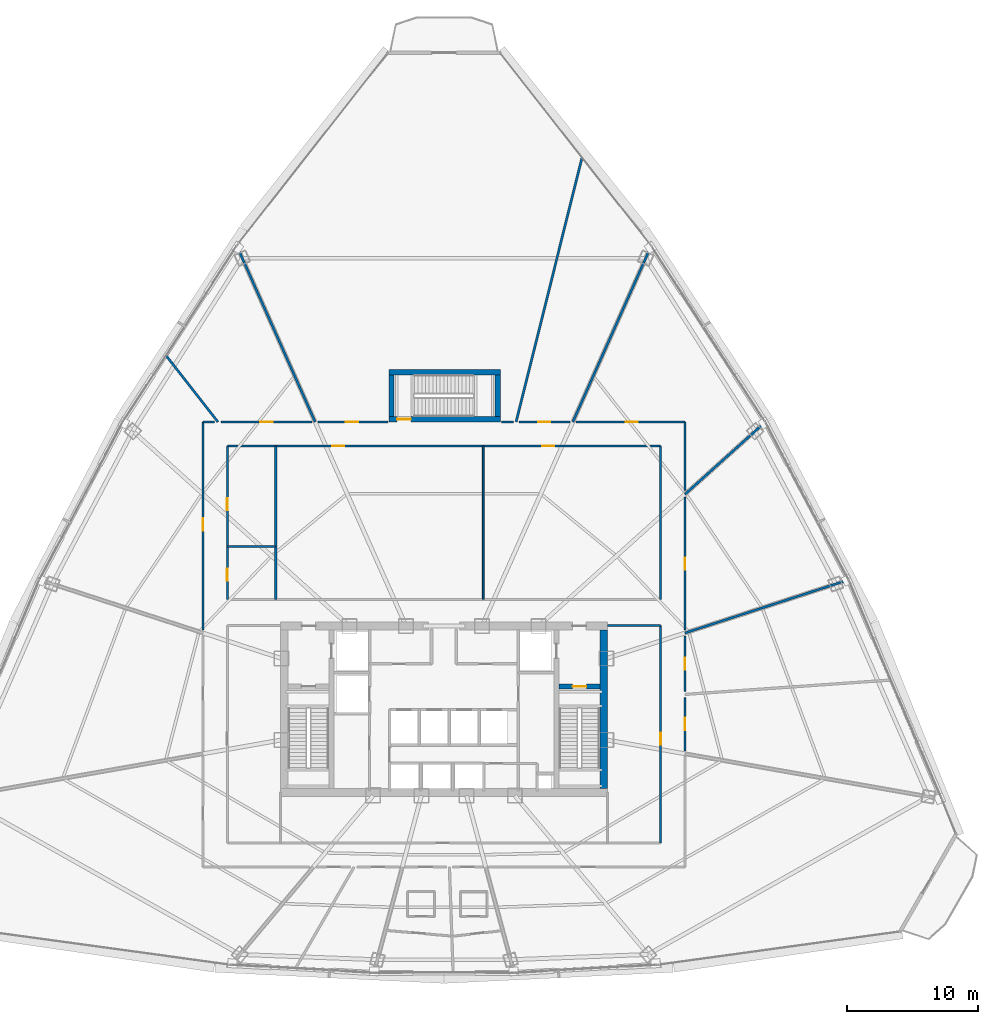
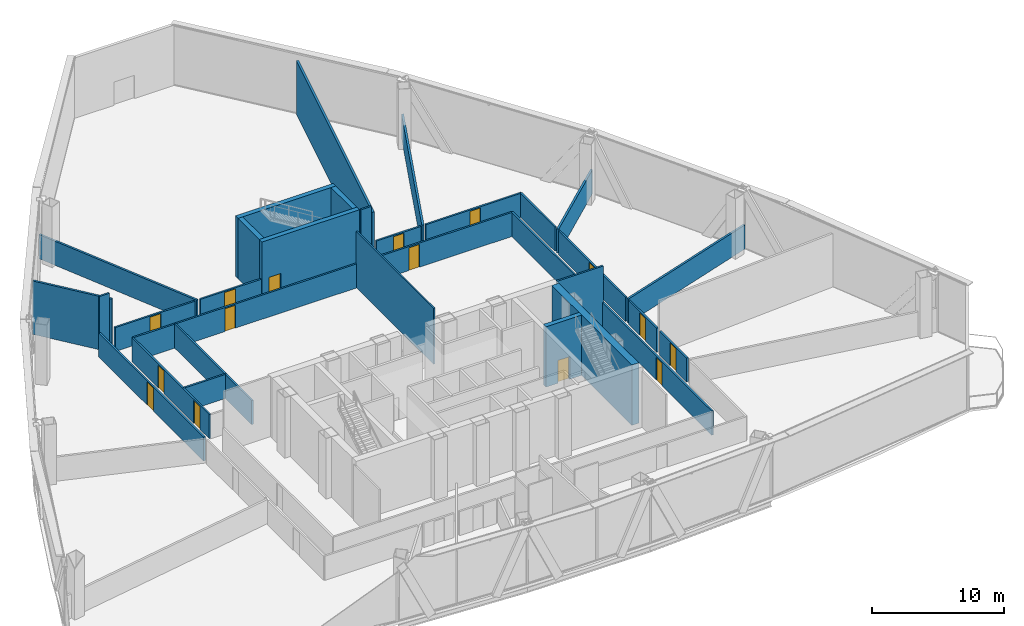
# One storey, part 35 of 40: 31 walls, 15 doors, 15 openings.
"""IFC4 building model written with IfcOpenShell, lengths in metres."""

from ifc_helpers import new_model, si_unit, direction, frame, frame_2d, origin, origin_with_axes, place, context, subcontext, project, spatial, rectangle, extrude, source, transform, mapped, material, layer, layer_set, type_object, element, fill, save


model = new_model("IFC4")

# Units and contexts
model_context = context("Model", 3, precision=1e-05, world=origin(), true_north=direction((0.0, 1.0)))
body_context = subcontext(model_context, "Body", "Model", "MODEL_VIEW")
ifc_project = project(units=[si_unit("LENGTHUNIT", "METRE"), si_unit("AREAUNIT", "SQUARE_METRE"), si_unit("VOLUMEUNIT", "CUBIC_METRE"), si_unit("PLANEANGLEUNIT", "RADIAN"), si_unit("MASSUNIT", "GRAM", prefix="KILO"), si_unit("THERMODYNAMICTEMPERATUREUNIT", "KELVIN"), si_unit("POWERUNIT", "WATT")], contexts=[model_context])

# Site, building, storey
site_placement = place(None, origin())
site = spatial("IfcSite", under=ifc_project, at=site_placement, CompositionType="ELEMENT")
building_placement = place(site_placement, origin())
building = spatial("IfcBuilding", under=site, at=building_placement, Name="Yunzhuo Pagoda Commons", CompositionType="ELEMENT")
storey_placement = place(building_placement, frame((0.0, 0.0, 170.31005859375)))
storey = spatial("IfcBuildingStorey", under=building, at=storey_placement, Name="L43", CompositionType="ELEMENT", Elevation=170.31005859375)

# Wall
ifc_material_1 = material(Name="Concrete C60", Category="concrete")
ifc_layer_1 = layer(ifc_material_1, 0.60009765625)
ifc_layer_set_1 = layer_set([ifc_layer_1], Name="Concrete C60")
wall_type_1 = type_object("IfcWallType", Name="W-C02 Mid Core Shear Wall 600", PredefinedType="SHEAR", material=ifc_layer_set_1)
wall_1_placement = place(storey_placement, frame((60.199951171875, 27.800048828125, 0.0), z_axis=(0.0, 0.0, 1.0), x_axis=(0.0, 1.0, 0.0)))
element("IfcWall", 1, at=wall_1_placement, inside=storey, type_object=wall_type_1, Name="L43 core shear wall E", PredefinedType="SHEAR", context=body_context, shape_type="SweptSolid", body=[
    extrude(rectangle(XDim=12.099853515625, YDim=0.60009765625, at=frame_2d((6.0498046875, 0.0))), origin(), (0.0, 0.0, 1.0), 5.56982421875),
])

# Wall, openings, doors
ifc_material_2 = material(Name="Gypsum plasterboard on acoustic stud")
ifc_layer_2 = layer(ifc_material_2, 0.155029296875)
ifc_layer_set_2 = layer_set([ifc_layer_2], Name="Gypsum plasterboard on acoustic stud")
wall_type_2 = type_object("IfcWallType", Name="W-COR2 Mid-Zone Rated Corridor Wall 155", PredefinedType="PARTITIONING", material=ifc_layer_set_2)
wall_2_placement = place(storey_placement, frame((31.449951171875, 53.949951171875, 0.0), z_axis=(0.0, 0.0, 1.0), x_axis=(1.0, 0.0, 0.0)))
wall_2 = element("IfcWall", 2, at=wall_2_placement, inside=storey, type_object=wall_type_2, Name="L43 interior wall IW-L43-MCNN", PredefinedType="PARTITIONING", context=body_context, shape_type="SweptSolid", body=[
    extrude(rectangle(XDim=33.10009765625, YDim=0.155029296875, at=frame_2d((16.550048828125, 0.0))), origin(), (0.0, 0.0, 1.0), 2.219970703125),
])
opening_1_placement = place(wall_2_placement, frame((8.0, 0.0, 0.0)))
opening_1 = element("IfcOpeningElement", 3, at=opening_1_placement, cuts=wall_2, Name="Opening D-04", PredefinedType="OPENING", context=body_context, shape_type="SweptSolid", body=[
    extrude(rectangle(XDim=0.919921875, YDim=2.10009765625, at=frame_2d((0.4599609375, 1.050048828125))), frame((0.0, 0.08740234375, 0.0), z_axis=(0.0, -1.0, 0.0), x_axis=(1.0, 0.0, 0.0)), (0.0, 0.0, 1.0), 0.175048828125),
])
opening_2_placement = place(wall_2_placement, frame((24.050048828125, 0.0, 0.0)))
opening_2 = element("IfcOpeningElement", 4, at=opening_2_placement, cuts=wall_2, Name="Opening D-04", PredefinedType="OPENING", context=body_context, shape_type="SweptSolid", body=[
    extrude(rectangle(XDim=0.919921875, YDim=2.10009765625, at=frame_2d((0.4599609375, 1.050048828125))), frame((0.0, 0.08740234375, 0.0), z_axis=(0.0, -1.0, 0.0), x_axis=(1.0, 0.0, 0.0)), (0.0, 0.0, 1.0), 0.175048828125),
])
ifc_material_3 = material(Name="Powder-coated aluminium and timber acoustic leaf", Category="wood")
door_type_1 = type_object("IfcDoorType", Name="D-04 Bedroom & Study Interior Door 920x2100", OperationType="NOTDEFINED", PredefinedType="DOOR", material=ifc_material_3)
shared_shape_1 = source(origin(), body_context, "Body", "SweptSolid", [
    extrude(rectangle(XDim=0.919921875, YDim=2.10009765625, at=frame_2d((0.4599609375, 1.050048828125))), frame((0.0, 0.02490234375, 0.0), z_axis=(0.0, -1.0, 0.0), x_axis=(1.0, 0.0, 0.0)), (0.0, 0.0, 1.0), 0.050048828125),
])
door_1_placement = place(opening_1_placement, origin_with_axes())
door_1 = element("IfcDoor", 5, at=door_1_placement, inside=storey, type_object=door_type_1, Name="L43 reading commons door", OperationType="SINGLE_SWING_LEFT", OverallHeight=2.10009765625, OverallWidth=0.919921875, PredefinedType="DOOR", context=body_context, shape_type="MappedRepresentation", body=[
    mapped(shared_shape_1, transform((0.0, 0.0, 0.0), scale=1.0)),
])
fill(opening_1, door_1)
door_2_placement = place(opening_2_placement, origin_with_axes())
door_2 = element("IfcDoor", 6, at=door_2_placement, inside=storey, type_object=door_type_1, Name="L43 seminar commons door", OperationType="SINGLE_SWING_RIGHT", OverallHeight=2.10009765625, OverallWidth=0.919921875, PredefinedType="DOOR", context=body_context, shape_type="MappedRepresentation", body=[
    mapped(shared_shape_1, transform((0.0, 0.0, 0.0), scale=1.0)),
])
fill(opening_2, door_2)

wall_3_placement = place(storey_placement, frame((31.449951171875, 42.25, 0.0), z_axis=(0.0, 0.0, 1.0), x_axis=(0.0, 1.0, 0.0)))
wall_3 = element("IfcWall", 7, at=wall_3_placement, inside=storey, type_object=wall_type_2, Name="L43 interior wall IW-L43-MCNW", PredefinedType="PARTITIONING", context=body_context, shape_type="SweptSolid", body=[
    extrude(rectangle(XDim=11.699951171875, YDim=0.155029296875, at=frame_2d((5.85009765625, 0.0))), origin(), (0.0, 0.0, 1.0), 2.219970703125),
])
opening_3_placement = place(wall_3_placement, frame((1.39990234375, 0.0, 0.0)))
opening_3 = element("IfcOpeningElement", 8, at=opening_3_placement, cuts=wall_3, Name="Opening D-11", PredefinedType="OPENING", context=body_context, shape_type="SweptSolid", body=[
    extrude(rectangle(XDim=0.93994140625, YDim=2.10009765625, at=frame_2d((0.469970703125, 1.050048828125))), frame((0.0, 0.08740234375, 0.0), z_axis=(0.0, -1.0, 0.0), x_axis=(1.0, 0.0, 0.0)), (0.0, 0.0, 1.0), 0.175048828125),
])
opening_4_placement = place(wall_3_placement, frame((6.800048828125, 0.0, 0.0)))
opening_4 = element("IfcOpeningElement", 9, at=opening_4_placement, cuts=wall_3, Name="Opening D-04", PredefinedType="OPENING", context=body_context, shape_type="SweptSolid", body=[
    extrude(rectangle(XDim=0.919921875, YDim=2.10009765625, at=frame_2d((0.4599609375, 1.050048828125))), frame((0.0, 0.08740234375, 0.0), z_axis=(0.0, -1.0, 0.0), x_axis=(1.0, 0.0, 0.0)), (0.0, 0.0, 1.0), 0.175048828125),
])
ifc_material_4 = material(Name="Galvanized fire-resisting metal leaf")
door_type_2 = type_object("IfcDoorType", Name="D-11 Accessible Washroom Fire Door 940x2100", OperationType="NOTDEFINED", PredefinedType="DOOR", material=ifc_material_4)
shared_shape_2 = source(origin(), body_context, "Body", "SweptSolid", [
    extrude(rectangle(XDim=0.93994140625, YDim=2.10009765625, at=frame_2d((0.469970703125, 1.050048828125))), frame((0.0, 0.02490234375, 0.0), z_axis=(0.0, -1.0, 0.0), x_axis=(1.0, 0.0, 0.0)), (0.0, 0.0, 1.0), 0.050048828125),
])
door_3_placement = place(opening_3_placement, origin_with_axes())
door_3 = element("IfcDoor", 10, at=door_3_placement, inside=storey, type_object=door_type_2, Name="L43 accessible WC door", OperationType="SINGLE_SWING_LEFT", OverallHeight=2.10009765625, OverallWidth=0.93994140625, PredefinedType="DOOR", context=body_context, shape_type="MappedRepresentation", body=[
    mapped(shared_shape_2, transform((0.0, 0.0, 0.0), scale=1.0)),
])
fill(opening_3, door_3)
door_4_placement = place(opening_4_placement, origin_with_axes())
door_4 = element("IfcDoor", 11, at=door_4_placement, inside=storey, type_object=door_type_1, Name="L43 laundry door", OperationType="SINGLE_SWING_RIGHT", OverallHeight=2.10009765625, OverallWidth=0.919921875, PredefinedType="DOOR", context=body_context, shape_type="MappedRepresentation", body=[
    mapped(shared_shape_1, transform((0.0, 0.0, 0.0), scale=1.0)),
])
fill(opening_4, door_4)

# Walls
for number, where, z_axis, x_axis, name in (
    (12, (64.550048828125, 42.25, 0.0), (0.0, 0.0, 1.0), (0.0, 1.0, 0.0), "L43 interior wall IW-L43-MCNE"),
    (13, (35.14990234375, 42.25, 0.0), (0.0, 0.0, 1.0), (0.0, 1.0, 0.0), "L43 interior wall IW-L43-MCWCE"),
):
    element("IfcWall", number, at=place(storey_placement, frame(where, z_axis=z_axis, x_axis=x_axis)), inside=storey, type_object=wall_type_2, Name=name, PredefinedType="PARTITIONING", context=body_context, shape_type="SweptSolid", body=[
        extrude(rectangle(XDim=11.699951171875, YDim=0.155029296875, at=frame_2d((5.85009765625, 0.0))), origin(), (0.0, 0.0, 1.0), 2.219970703125),
    ])
wall_4_placement = place(storey_placement, frame((31.449951171875, 46.300048828125, 0.0), z_axis=(0.0, 0.0, 1.0), x_axis=(1.0, 0.0, 0.0)))
element("IfcWall", 14, at=wall_4_placement, inside=storey, type_object=wall_type_2, Name="L43 interior wall IW-L43-MCWCN", PredefinedType="PARTITIONING", context=body_context, shape_type="SweptSolid", body=[
    extrude(rectangle(XDim=3.699951171875, YDim=0.155029296875, at=frame_2d((1.85009765625, 0.0))), origin(), (0.0, 0.0, 1.0), 2.219970703125),
])

# Wall, opening, door
wall_5_placement = place(storey_placement, frame((64.550048828125, 23.64990234375, 0.0), z_axis=(0.0, 0.0, 1.0), x_axis=(0.0, 1.0, 0.0)))
wall_5 = element("IfcWall", 15, at=wall_5_placement, inside=storey, type_object=wall_type_2, Name="L43 interior wall IW-L43-SFLE", PredefinedType="PARTITIONING", context=body_context, shape_type="SweptSolid", body=[
    extrude(rectangle(XDim=16.60009765625, YDim=0.155029296875, at=frame_2d((8.300048828125, 0.0))), origin(), (0.0, 0.0, 1.0), 2.219970703125),
])
opening_5_placement = place(wall_5_placement, frame((7.5, 0.0, 0.0)))
opening_5 = element("IfcOpeningElement", 16, at=opening_5_placement, cuts=wall_5, Name="Opening D-12", PredefinedType="OPENING", context=body_context, shape_type="SweptSolid", body=[
    extrude(rectangle(XDim=0.89990234375, YDim=2.080078125, at=frame_2d((0.449951171875, 1.0400390625))), frame((0.0, 0.08740234375, 0.0), z_axis=(0.0, -1.0, 0.0), x_axis=(1.0, 0.0, 0.0)), (0.0, 0.0, 1.0), 0.175048828125),
])
door_type_3 = type_object("IfcDoorType", Name="D-12 Quiet Study Interior Door 900x2080", OperationType="NOTDEFINED", PredefinedType="DOOR", material=ifc_material_3)
shared_shape_3 = source(origin(), body_context, "Body", "SweptSolid", [
    extrude(rectangle(XDim=0.89990234375, YDim=2.080078125, at=frame_2d((0.449951171875, 1.0400390625))), frame((0.0, 0.02490234375, 0.0), z_axis=(0.0, -1.0, 0.0), x_axis=(1.0, 0.0, 0.0)), (0.0, 0.0, 1.0), 0.050048828125),
])
door_5_placement = place(opening_5_placement, frame((0.89990234375, 0.0, 0.0), z_axis=(0.0, 0.0, 1.0), x_axis=(-1.0, 0.0, 0.0)))
door_5 = element("IfcDoor", 17, at=door_5_placement, inside=storey, type_object=door_type_3, Name="L43 east study workroom door", OperationType="SINGLE_SWING_RIGHT", OverallHeight=2.080078125, OverallWidth=0.89990234375, PredefinedType="DOOR", context=body_context, shape_type="MappedRepresentation", body=[
    mapped(shared_shape_3, transform((0.0, 0.0, 0.0), scale=1.0)),
])
fill(opening_5, door_5)

# Wall
wall_6_placement = place(storey_placement, frame((60.5, 40.25, 0.0), z_axis=(0.0, 0.0, 1.0), x_axis=(1.0, 0.0, 0.0)))
element("IfcWall", 18, at=wall_6_placement, inside=storey, type_object=wall_type_2, Name="L43 interior wall IW-L43-SFLNE", PredefinedType="PARTITIONING", context=body_context, shape_type="SweptSolid", body=[
    extrude(rectangle(XDim=4.050048828125, YDim=0.155029296875, at=frame_2d((2.02490234375, 0.0))), origin(), (0.0, 0.0, 1.0), 5.56982421875),
])

# Wall, opening, door
wall_7_placement = place(storey_placement, frame((29.60009765625, 39.909912109375, 0.0), z_axis=(0.0, 0.0, 1.0), x_axis=(0.0, 1.0, 0.0)))
wall_7 = element("IfcWall", 19, at=wall_7_placement, inside=storey, type_object=wall_type_2, Name="L43 interior wall IW-L43-CWL03", PredefinedType="PARTITIONING", context=body_context, shape_type="SweptSolid", body=[
    extrude(rectangle(XDim=15.89013671875, YDim=0.155029296875, at=frame_2d((7.945068359375, 0.0))), origin(), (0.0, 0.0, 1.0), 2.219970703125),
])
opening_6_placement = place(wall_7_placement, frame((7.58447265625, 0.0, 0.0)))
opening_6 = element("IfcOpeningElement", 20, at=opening_6_placement, cuts=wall_7, Name="Opening D-07", PredefinedType="OPENING", context=body_context, shape_type="SweptSolid", body=[
    extrude(rectangle(XDim=0.9599609375, YDim=2.1201171875, at=frame_2d((0.47998046875, 1.06005859375))), frame((0.0, 0.08740234375, 0.0), z_axis=(0.0, -1.0, 0.0), x_axis=(1.0, 0.0, 0.0)), (0.0, 0.0, 1.0), 0.175048828125),
])
door_type_4 = type_object("IfcDoorType", Name="D-07 Mid-Zone Suite Entrance Fire Door 960x2120", OperationType="NOTDEFINED", PredefinedType="DOOR", material=ifc_material_4)
shared_shape_4 = source(origin(), body_context, "Body", "SweptSolid", [
    extrude(rectangle(XDim=0.9599609375, YDim=2.1201171875, at=frame_2d((0.47998046875, 1.06005859375))), frame((0.0, 0.02490234375, 0.0), z_axis=(0.0, -1.0, 0.0), x_axis=(1.0, 0.0, 0.0)), (0.0, 0.0, 1.0), 0.050048828125),
])
door_6_placement = place(opening_6_placement, origin_with_axes())
door_6 = element("IfcDoor", 21, at=door_6_placement, inside=storey, type_object=door_type_4, Name="L43 Shared Resident Kitchen and Pantry door", OperationType="SINGLE_SWING_RIGHT", OverallHeight=2.1201171875, OverallWidth=0.9599609375, PredefinedType="DOOR", context=body_context, shape_type="MappedRepresentation", body=[
    mapped(shared_shape_4, transform((0.0, 0.0, 0.0), scale=1.0)),
])
fill(opening_6, door_6)

# Wall
wall_8_placement = place(storey_placement, frame((29.60009765625, 55.800048828125, 0.0), z_axis=(0.0, 0.0, 1.0), x_axis=(1.0, 0.0, 0.0)))
element("IfcWall", 22, at=wall_8_placement, inside=storey, type_object=wall_type_2, Name="L43 interior wall IW-L43-CWL04", PredefinedType="PARTITIONING", context=body_context, shape_type="SweptSolid", body=[
    extrude(rectangle(XDim=0.854248046875, YDim=0.155029296875, at=frame_2d((0.42724609375, 0.0))), origin(), (0.0, 0.0, 1.0), 5.56982421875),
])

# Wall, opening, door
wall_9_placement = place(storey_placement, frame((30.953369140625, 55.800048828125, 0.0), z_axis=(0.0, 0.0, 1.0), x_axis=(1.0, 0.0, 0.0)))
wall_9 = element("IfcWall", 23, at=wall_9_placement, inside=storey, type_object=wall_type_2, Name="L43 interior wall IW-L43-CWL05", PredefinedType="PARTITIONING", context=body_context, shape_type="SweptSolid", body=[
    extrude(rectangle(XDim=6.96630859375, YDim=0.155029296875, at=frame_2d((3.483154296875, 0.0))), origin(), (0.0, 0.0, 1.0), 2.219970703125),
])
opening_7_placement = place(wall_9_placement, frame((3.0185546875, 0.0, 0.0)))
opening_7 = element("IfcOpeningElement", 24, at=opening_7_placement, cuts=wall_9, Name="Opening D-07", PredefinedType="OPENING", context=body_context, shape_type="SweptSolid", body=[
    extrude(rectangle(XDim=0.9599609375, YDim=2.1201171875, at=frame_2d((0.47998046875, 1.06005859375))), frame((0.0, 0.08740234375, 0.0), z_axis=(0.0, -1.0, 0.0), x_axis=(1.0, 0.0, 0.0)), (0.0, 0.0, 1.0), 0.175048828125),
])
door_7_placement = place(opening_7_placement, origin_with_axes())
door_7 = element("IfcDoor", 25, at=door_7_placement, inside=storey, type_object=door_type_4, Name="L43 unit 06 entrance door", OperationType="SINGLE_SWING_LEFT", OverallHeight=2.1201171875, OverallWidth=0.9599609375, PredefinedType="DOOR", context=body_context, shape_type="MappedRepresentation", body=[
    mapped(shared_shape_4, transform((0.0, 0.0, 0.0), scale=1.0)),
])
fill(opening_7, door_7)

wall_10_placement = place(storey_placement, frame((38.380126953125, 55.800048828125, 0.0), z_axis=(0.0, 0.0, 1.0), x_axis=(1.0, 0.0, 0.0)))
wall_10 = element("IfcWall", 26, at=wall_10_placement, inside=storey, type_object=wall_type_2, Name="L43 interior wall IW-L43-CWL06", PredefinedType="PARTITIONING", context=body_context, shape_type="SweptSolid", body=[
    extrude(rectangle(XDim=5.328857421875, YDim=0.155029296875, at=frame_2d((2.66455078125, 0.0))), origin(), (0.0, 0.0, 1.0), 2.219970703125),
])
opening_8_placement = place(wall_10_placement, frame((2.114990234375, 0.0, 0.0)))
opening_8 = element("IfcOpeningElement", 27, at=opening_8_placement, cuts=wall_10, Name="Opening D-07", PredefinedType="OPENING", context=body_context, shape_type="SweptSolid", body=[
    extrude(rectangle(XDim=0.9599609375, YDim=2.1201171875, at=frame_2d((0.47998046875, 1.06005859375))), frame((0.0, 0.08740234375, 0.0), z_axis=(0.0, -1.0, 0.0), x_axis=(1.0, 0.0, 0.0)), (0.0, 0.0, 1.0), 0.175048828125),
])
door_8_placement = place(opening_8_placement, origin_with_axes())
door_8 = element("IfcDoor", 28, at=door_8_placement, inside=storey, type_object=door_type_4, Name="L43 unit 05 entrance door", OperationType="SINGLE_SWING_RIGHT", OverallHeight=2.1201171875, OverallWidth=0.9599609375, PredefinedType="DOOR", context=body_context, shape_type="MappedRepresentation", body=[
    mapped(shared_shape_4, transform((0.0, 0.0, 0.0), scale=1.0)),
])
fill(opening_8, door_8)

# Wall
wall_11_placement = place(storey_placement, frame((52.39111328125, 55.800048828125, 0.0), z_axis=(0.0, 0.0, 1.0), x_axis=(1.0, 0.0, 0.0)))
element("IfcWall", 29, at=wall_11_placement, inside=storey, type_object=wall_type_2, Name="L43 interior wall IW-L43-CWL07", PredefinedType="PARTITIONING", context=body_context, shape_type="SweptSolid", body=[
    extrude(rectangle(XDim=0.899169921875, YDim=0.155029296875, at=frame_2d((0.44970703125, 0.0))), origin(), (0.0, 0.0, 1.0), 5.56982421875),
])

# Wall, opening, door
wall_12_placement = place(storey_placement, frame((53.73681640625, 55.800048828125, 0.0), z_axis=(0.0, 0.0, 1.0), x_axis=(1.0, 0.0, 0.0)))
wall_12 = element("IfcWall", 30, at=wall_12_placement, inside=storey, type_object=wall_type_2, Name="L43 interior wall IW-L43-CWL08", PredefinedType="PARTITIONING", context=body_context, shape_type="SweptSolid", body=[
    extrude(rectangle(XDim=3.883056640625, YDim=0.155029296875, at=frame_2d((1.94140625, 0.0))), origin(), (0.0, 0.0, 1.0), 2.219970703125),
])
opening_9_placement = place(wall_12_placement, frame((1.47802734375, 0.0, 0.0)))
opening_9 = element("IfcOpeningElement", 31, at=opening_9_placement, cuts=wall_12, Name="Opening D-04", PredefinedType="OPENING", context=body_context, shape_type="SweptSolid", body=[
    extrude(rectangle(XDim=0.919921875, YDim=2.10009765625, at=frame_2d((0.4599609375, 1.050048828125))), frame((0.0, 0.08740234375, 0.0), z_axis=(0.0, -1.0, 0.0), x_axis=(1.0, 0.0, 0.0)), (0.0, 0.0, 1.0), 0.175048828125),
])
door_9_placement = place(opening_9_placement, origin_with_axes())
door_9 = element("IfcDoor", 32, at=door_9_placement, inside=storey, type_object=door_type_1, Name="L43 seminar room 04 door", OperationType="SINGLE_SWING_LEFT", OverallHeight=2.10009765625, OverallWidth=0.919921875, PredefinedType="DOOR", context=body_context, shape_type="MappedRepresentation", body=[
    mapped(shared_shape_1, transform((0.0, 0.0, 0.0), scale=1.0)),
])
fill(opening_9, door_9)

wall_13_placement = place(storey_placement, frame((58.080322265625, 55.800048828125, 0.0), z_axis=(0.0, 0.0, 1.0), x_axis=(1.0, 0.0, 0.0)))
wall_13 = element("IfcWall", 33, at=wall_13_placement, inside=storey, type_object=wall_type_2, Name="L43 interior wall IW-L43-CWL09", PredefinedType="PARTITIONING", context=body_context, shape_type="SweptSolid", body=[
    extrude(rectangle(XDim=8.319580078125, YDim=0.155029296875, at=frame_2d((4.15966796875, 0.0))), origin(), (0.0, 0.0, 1.0), 2.219970703125),
])
opening_10_placement = place(wall_13_placement, frame((3.809326171875, 0.0, 0.0)))
opening_10 = element("IfcOpeningElement", 34, at=opening_10_placement, cuts=wall_13, Name="Opening D-04", PredefinedType="OPENING", context=body_context, shape_type="SweptSolid", body=[
    extrude(rectangle(XDim=0.919921875, YDim=2.10009765625, at=frame_2d((0.4599609375, 1.050048828125))), frame((0.0, 0.08740234375, 0.0), z_axis=(0.0, -1.0, 0.0), x_axis=(1.0, 0.0, 0.0)), (0.0, 0.0, 1.0), 0.175048828125),
])
door_10_placement = place(opening_10_placement, origin_with_axes())
door_10 = element("IfcDoor", 35, at=door_10_placement, inside=storey, type_object=door_type_1, Name="L43 seminar room 03 door", OperationType="SINGLE_SWING_RIGHT", OverallHeight=2.10009765625, OverallWidth=0.919921875, PredefinedType="DOOR", context=body_context, shape_type="MappedRepresentation", body=[
    mapped(shared_shape_1, transform((0.0, 0.0, 0.0), scale=1.0)),
])
fill(opening_10, door_10)

# Wall
wall_14_placement = place(storey_placement, frame((66.39990234375, 55.800048828125, 0.0), z_axis=(0.0, 0.0, 1.0), x_axis=(0.0, -1.0, 0.0)))
element("IfcWall", 36, at=wall_14_placement, inside=storey, type_object=wall_type_2, Name="L43 interior wall IW-L43-CWL10", PredefinedType="PARTITIONING", context=body_context, shape_type="SweptSolid", body=[
    extrude(rectangle(XDim=5.236572265625, YDim=0.155029296875, at=frame_2d((2.6181640625, 0.0))), origin(), (0.0, 0.0, 1.0), 2.219970703125),
])

# Wall, opening, door
wall_15_placement = place(storey_placement, frame((66.39990234375, 50.047607421875, 0.0), z_axis=(0.0, 0.0, 1.0), x_axis=(0.0, -1.0, 0.0)))
wall_15 = element("IfcWall", 37, at=wall_15_placement, inside=storey, type_object=wall_type_2, Name="L43 interior wall IW-L43-CWL11", PredefinedType="PARTITIONING", context=body_context, shape_type="SweptSolid", body=[
    extrude(rectangle(XDim=10.1376953125, YDim=0.155029296875, at=frame_2d((5.06884765625, 0.0))), origin(), (0.0, 0.0, 1.0), 2.219970703125),
])
opening_11_placement = place(wall_15_placement, frame((4.61474609375, 0.0, 0.0)))
opening_11 = element("IfcOpeningElement", 38, at=opening_11_placement, cuts=wall_15, Name="Opening D-04", PredefinedType="OPENING", context=body_context, shape_type="SweptSolid", body=[
    extrude(rectangle(XDim=0.919921875, YDim=2.10009765625, at=frame_2d((0.4599609375, 1.050048828125))), frame((0.0, 0.08740234375, 0.0), z_axis=(0.0, -1.0, 0.0), x_axis=(1.0, 0.0, 0.0)), (0.0, 0.0, 1.0), 0.175048828125),
])
door_11_placement = place(opening_11_placement, origin_with_axes())
door_11 = element("IfcDoor", 39, at=door_11_placement, inside=storey, type_object=door_type_1, Name="L43 seminar room 02 door", OperationType="SINGLE_SWING_LEFT", OverallHeight=2.10009765625, OverallWidth=0.919921875, PredefinedType="DOOR", context=body_context, shape_type="MappedRepresentation", body=[
    mapped(shared_shape_1, transform((0.0, 0.0, 0.0), scale=1.0)),
])
fill(opening_11, door_11)

wall_16_placement = place(storey_placement, frame((66.39990234375, 39.458740234375, 0.0), z_axis=(0.0, 0.0, 1.0), x_axis=(0.0, -1.0, 0.0)))
wall_16 = element("IfcWall", 40, at=wall_16_placement, inside=storey, type_object=wall_type_2, Name="L43 interior wall IW-L43-CWL12", PredefinedType="PARTITIONING", context=body_context, shape_type="SweptSolid", body=[
    extrude(rectangle(XDim=4.25146484375, YDim=0.155029296875, at=frame_2d((2.125732421875, 0.0))), origin(), (0.0, 0.0, 1.0), 2.219970703125),
])
opening_12_placement = place(wall_16_placement, frame((1.666015625, 0.0, 0.0)))
opening_12 = element("IfcOpeningElement", 41, at=opening_12_placement, cuts=wall_16, Name="Opening D-04", PredefinedType="OPENING", context=body_context, shape_type="SweptSolid", body=[
    extrude(rectangle(XDim=0.919921875, YDim=2.10009765625, at=frame_2d((0.4599609375, 1.050048828125))), frame((0.0, 0.08740234375, 0.0), z_axis=(0.0, -1.0, 0.0), x_axis=(1.0, 0.0, 0.0)), (0.0, 0.0, 1.0), 0.175048828125),
])
door_12_placement = place(opening_12_placement, origin_with_axes())
door_12 = element("IfcDoor", 42, at=door_12_placement, inside=storey, type_object=door_type_1, Name="L43 seminar room 01 door", OperationType="SINGLE_SWING_RIGHT", OverallHeight=2.10009765625, OverallWidth=0.919921875, PredefinedType="DOOR", context=body_context, shape_type="MappedRepresentation", body=[
    mapped(shared_shape_1, transform((0.0, 0.0, 0.0), scale=1.0)),
])
fill(opening_12, door_12)

wall_17_placement = place(storey_placement, frame((66.39990234375, 34.766845703125, 0.0), z_axis=(0.0, 0.0, 1.0), x_axis=(0.0, -1.0, 0.0)))
wall_17 = element("IfcWall", 43, at=wall_17_placement, inside=storey, type_object=wall_type_2, Name="L43 interior wall IW-L43-CWL13", PredefinedType="PARTITIONING", context=body_context, shape_type="SweptSolid", body=[
    extrude(rectangle(XDim=4.091552734375, YDim=0.155029296875, at=frame_2d((2.0458984375, 0.0))), origin(), (0.0, 0.0, 1.0), 2.219970703125),
])
opening_13_placement = place(wall_17_placement, frame((1.57080078125, 0.0, 0.0)))
opening_13 = element("IfcOpeningElement", 44, at=opening_13_placement, cuts=wall_17, Name="Opening D-07", PredefinedType="OPENING", context=body_context, shape_type="SweptSolid", body=[
    extrude(rectangle(XDim=0.9599609375, YDim=2.1201171875, at=frame_2d((0.47998046875, 1.06005859375))), frame((0.0, 0.08740234375, 0.0), z_axis=(0.0, -1.0, 0.0), x_axis=(1.0, 0.0, 0.0)), (0.0, 0.0, 1.0), 0.175048828125),
])
door_13_placement = place(opening_13_placement, origin_with_axes())
door_13 = element("IfcDoor", 45, at=door_13_placement, inside=storey, type_object=door_type_4, Name="L43 unit 15 entrance door", OperationType="SINGLE_SWING_RIGHT", OverallHeight=2.1201171875, OverallWidth=0.9599609375, PredefinedType="DOOR", context=body_context, shape_type="MappedRepresentation", body=[
    mapped(shared_shape_4, transform((0.0, 0.0, 0.0), scale=1.0)),
])
fill(opening_13, door_13)

# Walls
ifc_layer_3 = layer(ifc_material_2, 0.1201171875)
ifc_layer_set_3 = layer_set([ifc_layer_3], Name="Gypsum plasterboard on acoustic stud")
wall_type_3 = type_object("IfcWallType", Name="W-PRT1 Suite & Bathroom Partition 120", PredefinedType="PARTITIONING", material=ifc_layer_set_3)
wall_18_placement = place(storey_placement, frame((51.0, 42.25, 0.0), z_axis=(0.0, 0.0, 1.0), x_axis=(0.0, 1.0, 0.0)))
element("IfcWall", 46, at=wall_18_placement, inside=storey, type_object=wall_type_3, Name="L43 interior wall IW-L43-MCDIV", PredefinedType="PARTITIONING", context=body_context, shape_type="SweptSolid", body=[
    extrude(rectangle(XDim=11.699951171875, YDim=0.1201171875, at=frame_2d((5.85009765625, 0.0))), origin(), (0.0, 0.0, 1.0), 5.169921875),
])
ifc_layer_4 = layer(ifc_material_2, 0.175048828125)
ifc_layer_set_4 = layer_set([ifc_layer_4], Name="Gypsum plasterboard on acoustic stud")
wall_type_4 = type_object("IfcWallType", Name="W-PRT3 Mid-Zone Demising Wall 175", PredefinedType="PARTITIONING", material=ifc_layer_set_4)
wall_19_placement = place(storey_placement, frame((66.39990234375, 39.678466796875, 0.0), z_axis=(0.0, 0.0, 1.0), x_axis=(0.951058745875, 0.309010132349, 0.0)))
element("IfcWall", 47, at=wall_19_placement, inside=storey, type_object=wall_type_4, Name="L43 interior wall IW-L43-RAD02", PredefinedType="PARTITIONING", context=body_context, shape_type="SweptSolid", body=[
    extrude(rectangle(XDim=13.157958984375, YDim=0.175048828125, at=frame_2d((6.5791015625, 0.0))), origin(), (0.0, 0.0, 1.0), 2.219970703125),
])
wall_20_placement = place(storey_placement, frame((66.39990234375, 50.267333984375, 0.0), z_axis=(0.0, 0.0, 1.0), x_axis=(0.743138546471, 0.669137579836, 0.0)))
element("IfcWall", 48, at=wall_20_placement, inside=storey, type_object=wall_type_4, Name="L43 interior wall IW-L43-RAD03", PredefinedType="PARTITIONING", context=body_context, shape_type="SweptSolid", body=[
    extrude(rectangle(XDim=8.27099609375, YDim=0.175048828125, at=frame_2d((4.135498046875, 0.0))), origin(), (0.0, 0.0, 1.0), 2.219970703125),
])
wall_21_placement = place(storey_placement, frame((57.839599609375, 55.800048828125, 0.0), z_axis=(0.0, 0.0, 1.0), x_axis=(0.406737891531, 0.913544901793, 0.0)))
element("IfcWall", 49, at=wall_21_placement, inside=storey, type_object=wall_type_4, Name="L43 interior wall IW-L43-RAD04", PredefinedType="PARTITIONING", context=body_context, shape_type="SweptSolid", body=[
    extrude(rectangle(XDim=14.73583984375, YDim=0.175048828125, at=frame_2d((7.367919921875, 0.0))), origin(), (0.0, 0.0, 1.0), 2.219970703125),
])
wall_22_placement = place(storey_placement, frame((53.510009765625, 55.800048828125, 0.0), z_axis=(0.0, 0.0, 1.0), x_axis=(0.241934095485, 0.970292684422, 0.0)))
element("IfcWall", 50, at=wall_22_placement, inside=storey, type_object=wall_type_4, Name="L43 interior wall IW-L43-RAD05", PredefinedType="PARTITIONING", context=body_context, shape_type="SweptSolid", body=[
    extrude(rectangle(XDim=20.820068359375, YDim=0.175048828125, at=frame_2d((10.41015625, 0.0))), origin(), (0.0, 0.0, 1.0), 4.919921875),
])
wall_23_placement = place(storey_placement, frame((38.160400390625, 55.800048828125, 0.0), z_axis=(0.0, 0.0, 1.0), x_axis=(-0.406737891531, 0.913544901793, 0.0)))
element("IfcWall", 51, at=wall_23_placement, inside=storey, type_object=wall_type_4, Name="L43 interior wall IW-L43-RAD06", PredefinedType="PARTITIONING", context=body_context, shape_type="SweptSolid", body=[
    extrude(rectangle(XDim=14.73583984375, YDim=0.175048828125, at=frame_2d((7.367919921875, 0.0))), origin(), (0.0, 0.0, 1.0), 2.219970703125),
])
wall_24_placement = place(storey_placement, frame((30.733642578125, 55.800048828125, 0.0), z_axis=(0.0, 0.0, 1.0), x_axis=(-0.615677005502, 0.787998619857, 0.0)))
element("IfcWall", 52, at=wall_24_placement, inside=storey, type_object=wall_type_4, Name="L43 interior wall IW-L43-RAD07", PredefinedType="PARTITIONING", context=body_context, shape_type="SweptSolid", body=[
    extrude(rectangle(XDim=6.467529296875, YDim=0.175048828125, at=frame_2d((3.23388671875, 0.0))), origin(), (0.0, 0.0, 1.0), 4.919921875),
])

# Wall, opening, door
ifc_layer_5 = layer(ifc_material_1, 0.39990234375)
ifc_layer_set_5 = layer_set([ifc_layer_5], Name="Concrete C60")
wall_type_5 = type_object("IfcWallType", Name="W-S01 Internal Core Shear Web 400", PredefinedType="SHEAR", material=ifc_layer_set_5)
wall_25_placement = place(storey_placement, frame((56.800048828125, 35.60009765625, 0.0), z_axis=(0.0, 0.0, 1.0), x_axis=(1.0, 0.0, 0.0)))
wall_25 = element("IfcWall", 53, at=wall_25_placement, inside=storey, type_object=wall_type_5, Name="L43 core shear wall STE", PredefinedType="SHEAR", context=body_context, shape_type="SweptSolid", body=[
    extrude(rectangle(XDim=3.099853515625, YDim=0.39990234375, at=frame_2d((1.5498046875, 0.0))), origin(), (0.0, 0.0, 1.0), 5.56982421875),
])
opening_14_placement = place(wall_25_placement, frame((1.02001953125, 0.0, 0.0)))
opening_14 = element("IfcOpeningElement", 54, at=opening_14_placement, cuts=wall_25, Name="Opening D-01", PredefinedType="OPENING", context=body_context, shape_type="SweptSolid", body=[
    extrude(rectangle(XDim=1.050048828125, YDim=2.10009765625, at=frame_2d((0.52490234375, 1.050048828125))), frame((0.0, 0.2099609375, 0.0), z_axis=(0.0, -1.0, 0.0), x_axis=(1.0, 0.0, 0.0)), (0.0, 0.0, 1.0), 0.419921875),
])
door_type_5 = type_object("IfcDoorType", Name="D-01 Smokeproof Stair Fire Door 1050x2100", OperationType="NOTDEFINED", PredefinedType="DOOR", material=ifc_material_4)
shared_shape_5 = source(origin(), body_context, "Body", "SweptSolid", [
    extrude(rectangle(XDim=1.050048828125, YDim=2.10009765625, at=frame_2d((0.52490234375, 1.050048828125))), frame((0.0, 0.02490234375, 0.0), z_axis=(0.0, -1.0, 0.0), x_axis=(1.0, 0.0, 0.0)), (0.0, 0.0, 1.0), 0.050048828125),
])
door_14_placement = place(opening_14_placement, frame((1.050048828125, 0.0, 0.0), z_axis=(0.0, 0.0, 1.0), x_axis=(-1.0, 0.0, 0.0)))
door_14 = element("IfcDoor", 55, at=door_14_placement, inside=storey, type_object=door_type_5, Name="L43 Stair ST2 fire door", OperationType="SINGLE_SWING_RIGHT", OverallHeight=2.10009765625, OverallWidth=1.050048828125, PredefinedType="DOOR", context=body_context, shape_type="MappedRepresentation", body=[
    mapped(shared_shape_5, transform((0.0, 0.0, 0.0), scale=1.0)),
])
fill(opening_14, door_14)

# Wall
wall_26_placement = place(storey_placement, frame((43.800048828125, 59.60009765625, 0.0), z_axis=(0.0, 0.0, 1.0), x_axis=(1.0, 0.0, 0.0)))
element("IfcWall", 56, at=wall_26_placement, inside=storey, type_object=wall_type_5, Name="L43 ST3 structural stair wall N", PredefinedType="SHEAR", context=body_context, shape_type="SweptSolid", body=[
    extrude(rectangle(XDim=8.5, YDim=0.39990234375, at=frame_2d((4.25, 0.0))), origin(), (0.0, 0.0, 1.0), 5.56982421875),
])

# Wall, opening, door
wall_27_placement = place(storey_placement, frame((43.800048828125, 56.0, 0.0), z_axis=(0.0, 0.0, 1.0), x_axis=(1.0, 0.0, 0.0)))
wall_27 = element("IfcWall", 57, at=wall_27_placement, inside=storey, type_object=wall_type_5, Name="L43 ST3 structural stair wall S", PredefinedType="SHEAR", context=body_context, shape_type="SweptSolid", body=[
    extrude(rectangle(XDim=8.5, YDim=0.39990234375, at=frame_2d((4.25, 0.0))), origin(), (0.0, 0.0, 1.0), 5.56982421875),
])
opening_15_placement = place(wall_27_placement, frame((0.6201171875, 0.0, 0.0)))
opening_15 = element("IfcOpeningElement", 58, at=opening_15_placement, cuts=wall_27, Name="Opening D-01", PredefinedType="OPENING", context=body_context, shape_type="SweptSolid", body=[
    extrude(rectangle(XDim=1.050048828125, YDim=2.10009765625, at=frame_2d((0.52490234375, 1.050048828125))), frame((0.0, 0.2099609375, 0.0), z_axis=(0.0, -1.0, 0.0), x_axis=(1.0, 0.0, 0.0)), (0.0, 0.0, 1.0), 0.419921875),
])
door_15_placement = place(opening_15_placement, frame((1.050048828125, 0.0, 0.0), z_axis=(0.0, 0.0, 1.0), x_axis=(-1.0, 0.0, 0.0)))
door_15 = element("IfcDoor", 59, at=door_15_placement, inside=storey, type_object=door_type_5, Name="L43 Stair ST3 fire door", OperationType="SINGLE_SWING_LEFT", OverallHeight=2.10009765625, OverallWidth=1.050048828125, PredefinedType="DOOR", context=body_context, shape_type="MappedRepresentation", body=[
    mapped(shared_shape_5, transform((0.0, 0.0, 0.0), scale=1.0)),
])
fill(opening_15, door_15)

# Walls
for number, where, z_axis, x_axis, name in (
    (60, (44.0, 56.199951171875, 0.0), (0.0, 0.0, 1.0), (0.0, 1.0, 0.0), "L43 ST3 structural stair wall W"),
    (61, (52.10009765625, 56.199951171875, 0.0), (0.0, 0.0, 1.0), (0.0, 1.0, 0.0), "L43 ST3 structural stair wall E"),
):
    element("IfcWall", number, at=place(storey_placement, frame(where, z_axis=z_axis, x_axis=x_axis)), inside=storey, type_object=wall_type_5, Name=name, PredefinedType="SHEAR", context=body_context, shape_type="SweptSolid", body=[
        extrude(rectangle(XDim=3.199951171875, YDim=0.39990234375, at=frame_2d((1.60009765625, 0.0))), origin(), (0.0, 0.0, 1.0), 5.56982421875),
    ])

save(model, "model.ifc")
